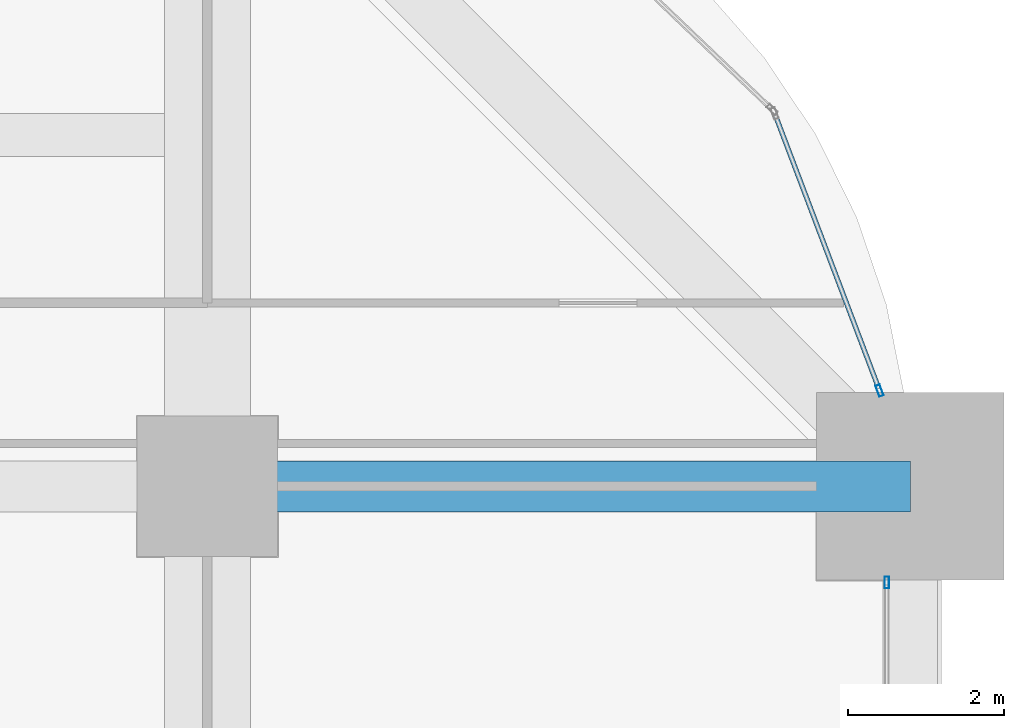
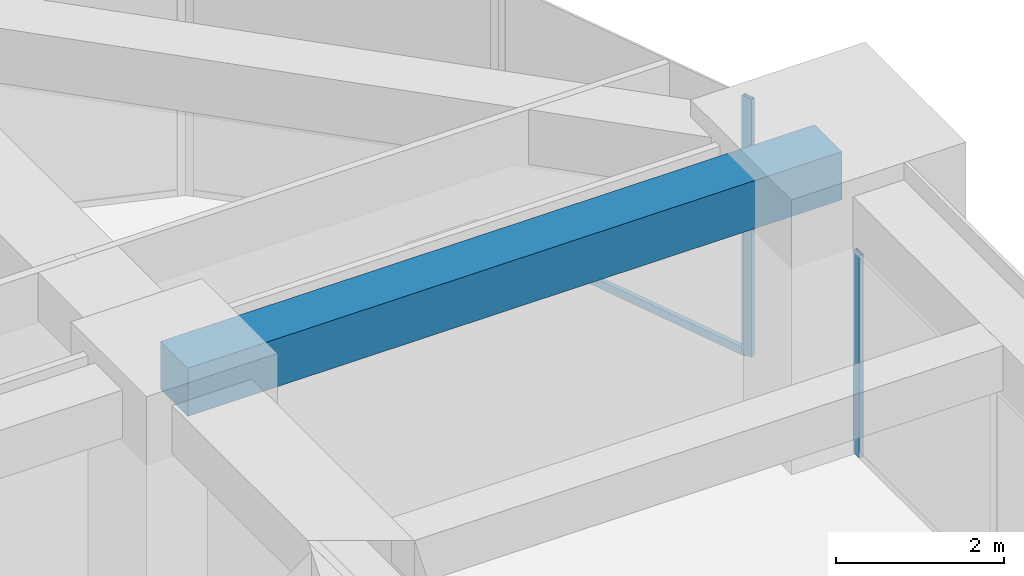
# One storey, part 32 of 41: 3 members, 1 beam, 2 elements without a shape of their own.
"""IFC4 building model written with IfcOpenShell, lengths in metres."""

from ifc_helpers import new_model, si_unit, direction, frame, origin, origin_2d, place, context, subcontext, project, spatial, rectangle, hollow_rectangle, extrude, material, material_profile, profile_set, type_object, element, aggregate, save


model = new_model("IFC4")

# Units and contexts
model_context = context("Model", 3, precision=1e-05, world=origin(), true_north=direction((0.0, 1.0)))
body_context = subcontext(model_context, "Body", "Model", "MODEL_VIEW")
ifc_project = project(units=[si_unit("LENGTHUNIT", "METRE"), si_unit("AREAUNIT", "SQUARE_METRE"), si_unit("VOLUMEUNIT", "CUBIC_METRE"), si_unit("PLANEANGLEUNIT", "RADIAN"), si_unit("MASSUNIT", "GRAM", prefix="KILO")], contexts=[model_context])

# Site, building, storey
site_placement = place(None, origin())
site = spatial("IfcSite", under=ifc_project, at=site_placement, CompositionType="ELEMENT")
building_placement = place(site_placement, origin())
building = spatial("IfcBuilding", under=site, at=building_placement, Name="Zorevar Civic Tower", CompositionType="ELEMENT")
storey_placement = place(building_placement, frame((0.0, 0.0, 137.0)))
storey = spatial("IfcBuildingStorey", under=building, at=storey_placement, Name="L33", CompositionType="ELEMENT", Elevation=137.0)

# Beam
ifc_material_1 = material(Name="Concrete C50/60", Category="concrete")
ifc_material_profile_1 = material_profile(ifc_material_1, rectangle(XDim=0.64990234375, YDim=0.699951171875, at=origin_2d()), Name="RC 650x700")
ifc_profile_set_1 = profile_set([ifc_material_profile_1], Name="Concrete C50/60")
beam_type = type_object("IfcBeamType", Name="Beam RC 650x700", PredefinedType="BEAM", material=ifc_profile_set_1)
beam_placement = place(storey_placement, frame((54.0, 36.0, 3.39990234375), z_axis=(1.0, 0.0, 0.0), x_axis=(0.0, 1.0, 0.0)))
element("IfcBeam", 1, at=beam_placement, inside=storey, type_object=beam_type, Name="Girder L34", PredefinedType="BEAM", context=body_context, shape_type="SweptSolid", body=[
    extrude(rectangle(XDim=0.64990234375, YDim=0.699951171875, at=origin_2d()), origin(), (0.0, 0.0, 1.0), 9.0),
])

# Curtain wall, member
ifc_material_2 = material(Name="Dark grey solar-control glass in black aluminium frame", Category="aluminium")
curtain_wall_type = type_object("IfcCurtainWallType", Name="Curtain wall CW3 mid zone", PredefinedType="NOTDEFINED", material=ifc_material_2)
curtain_wall_1_placement = place(storey_placement, origin())
curtain_wall_1 = element("IfcCurtainWall", 2, at=curtain_wall_1_placement, inside=storey, type_object=curtain_wall_type, Name="CW3 L33", PredefinedType="NOTDEFINED")
ifc_material_3 = material(Name="Aluminium, black anodised", Category="aluminium")
ifc_material_profile_2 = material_profile(ifc_material_3, hollow_rectangle(XDim=0.06005859375, YDim=0.14990234375, WallThickness=0.00390625, at=origin_2d()), Name="AL 150x60x4")
ifc_profile_set_2 = profile_set([ifc_material_profile_2], Name="Aluminium, black anodised")
member_type_1 = type_object("IfcMemberType", Name="CW3 mullion AL 150x60x4", PredefinedType="MULLION", material=ifc_profile_set_2)
member_1_placement = place(storey_placement, frame((62.699951171875, 34.77001953125, 0.0), z_axis=(0.0, 0.0, 1.0), x_axis=(-1.0, 0.0, 0.0)))
member_1 = element("IfcMember", 3, at=member_1_placement, type_object=member_type_1, Name="CW3 mullion 3", PredefinedType="MULLION", context=body_context, shape_type="SweptSolid", body=[
    extrude(hollow_rectangle(XDim=0.06005859375, YDim=0.14990234375, WallThickness=0.00390625, at=origin_2d()), origin(), (0.0, 0.0, 1.0), 2.949951171875),
])
aggregate(curtain_wall_1, [member_1])

# Curtain wall, members
curtain_wall_2_placement = place(storey_placement, origin())
curtain_wall_2 = element("IfcCurtainWall", 4, at=curtain_wall_2_placement, inside=storey, type_object=curtain_wall_type, Name="CW3 L33", PredefinedType="NOTDEFINED")
member_2_placement = place(storey_placement, frame((62.606201171875, 37.22802734375, 0.0), z_axis=(0.0, 0.0, 1.0), x_axis=(-0.935276561184, -0.353917722218, 0.0)))
member_2 = element("IfcMember", 5, at=member_2_placement, type_object=member_type_1, Name="CW3 mullion 1", PredefinedType="MULLION", context=body_context, shape_type="SweptSolid", body=[
    extrude(hollow_rectangle(XDim=0.06005859375, YDim=0.14990234375, WallThickness=0.00390625, at=origin_2d()), origin(), (0.0, 0.0, 1.0), 3.75),
])
ifc_material_4 = material(Name="Aluminium, black anodised", Category="aluminium")
ifc_material_profile_3 = material_profile(ifc_material_4, hollow_rectangle(XDim=0.06005859375, YDim=0.1201171875, WallThickness=0.0029296875, at=origin_2d()), Name="AL 120x60x3")
ifc_profile_set_3 = profile_set([ifc_material_profile_3], Name="Aluminium, black anodised")
member_type_2 = type_object("IfcMemberType", Name="CW3 transom AL 120x60x3", PredefinedType="USERDEFINED", material=ifc_profile_set_3)
member_3_placement = place(storey_placement, frame((62.595458984375, 37.256103515625, 0.030029296875), z_axis=(-0.353923007857, 0.93527456103, 0.0), x_axis=(-0.93527456103, -0.353923007857, 0.0)))
member_3 = element("IfcMember", 6, at=member_3_placement, type_object=member_type_2, Name="CW3 sill transom", ObjectType="TRANSOM", PredefinedType="USERDEFINED", context=body_context, shape_type="SweptSolid", body=[
    extrude(hollow_rectangle(XDim=0.06005859375, YDim=0.1201171875, WallThickness=0.0029296875, at=origin_2d()), origin(), (0.0, 0.0, 1.0), 3.734619140625),
])
aggregate(curtain_wall_2, [member_2, member_3])

save(model, "model.ifc")
